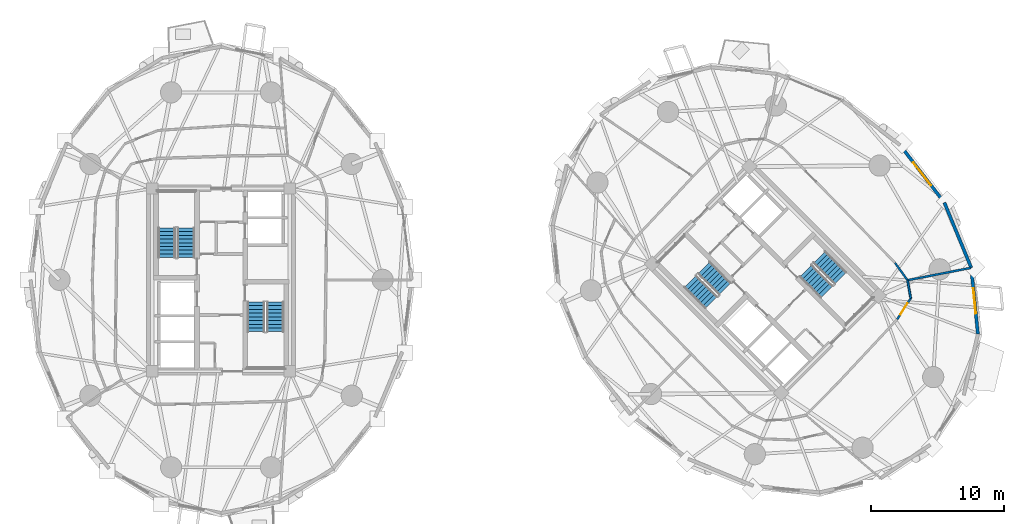
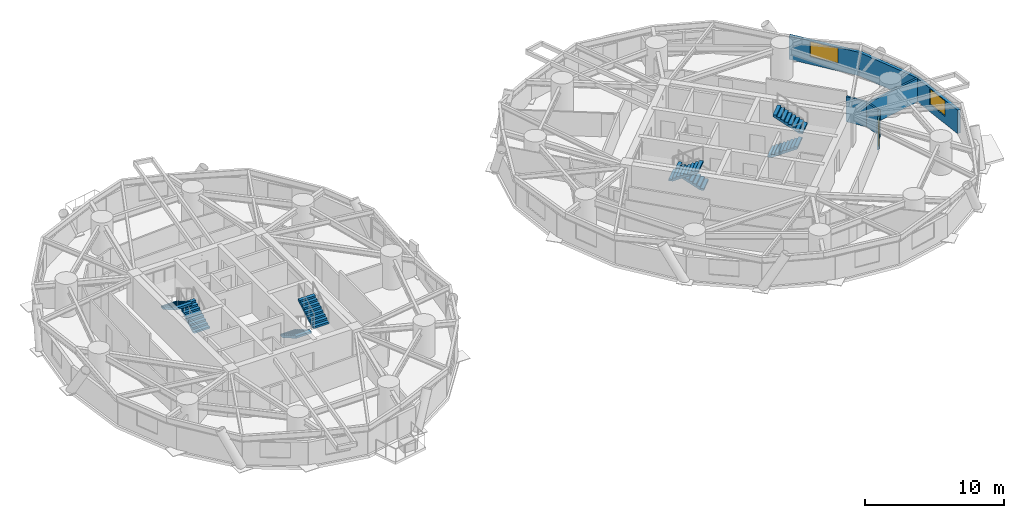
# One storey, part 15 of 18: 8 stair flights, 7 walls, 2 windows, 1 door, 3 openings, 4 elements without a shape of their own.
"""IFC4 building model written with IfcOpenShell, lengths in metres."""

from ifc_helpers import new_model, si_unit, direction, frame, frame_2d, origin, place, context, subcontext, project, spatial, polyline, rectangle, outline, extrude, source, transform, mapped, material, layer, layer_set, type_object, element, fill, aggregate, save


model = new_model("IFC4")

# Units and contexts
model_context = context("Model", 3, precision=1e-05, world=origin(), true_north=direction((0.0, 1.0)))
body_context = subcontext(model_context, "Body", "Model", "MODEL_VIEW")
ifc_project = project(units=[si_unit("LENGTHUNIT", "METRE"), si_unit("AREAUNIT", "SQUARE_METRE"), si_unit("VOLUMEUNIT", "CUBIC_METRE"), si_unit("PLANEANGLEUNIT", "RADIAN"), si_unit("MASSUNIT", "GRAM", prefix="KILO")], contexts=[model_context])

# Site, building, storey
site_placement = place(None, origin())
site = spatial("IfcSite", under=ifc_project, at=site_placement, CompositionType="ELEMENT")
building_placement = place(site_placement, origin())
building = spatial("IfcBuilding", under=site, at=building_placement, Name="Cununo Teusaquillo Station Towers", CompositionType="ELEMENT")
storey_placement = place(building_placement, frame((0.0, 0.0, 22.0)))
storey = spatial("IfcBuildingStorey", under=building, at=storey_placement, Name="L05", CompositionType="ELEMENT", Elevation=22.0)

# Wall, opening, window
ifc_material_1 = material(Name="Precast concrete C40/50", Category="concrete")
ifc_layer_1 = layer(ifc_material_1, 0.239990234375)
ifc_layer_set_1 = layer_set([ifc_layer_1], Name="Precast concrete C40/50")
wall_type_1 = type_object("IfcWallType", Name="WL-EXT-240", PredefinedType="SOLIDWALL", material=ifc_layer_set_1)
wall_1_placement = place(storey_placement, frame((73.01220703125, 25.406982421875, 0.0), z_axis=(0.0, 0.0, 1.0), x_axis=(0.100356187272, -0.994951574538, 0.0)))
wall_1 = element("IfcWall", 1, at=wall_1_placement, inside=storey, type_object=wall_type_1, Name="L05 Tower B Exterior Facade Wall C17", PredefinedType="SOLIDWALL", context=body_context, shape_type="SweptSolid", body=[
    extrude(rectangle(XDim=5.018798828125, YDim=0.239990234375, at=frame_2d((2.50927734375, 0.0))), origin(), (0.0, 0.0, 1.0), 2.072998046875),
])
shared_shape_1 = source(origin(), body_context, "Body", "SweptSolid", [
    extrude(rectangle(XDim=1.89990234375, YDim=1.35009765625, at=frame_2d((0.949951171875, 0.675048828125))), frame((0.0, 0.1298828125, 0.0), z_axis=(0.0, -1.0, 0.0), x_axis=(1.0, 0.0, 0.0)), (0.0, 0.0, 1.0), 0.260009765625),
])
opening_1_placement = place(wall_1_placement, frame((1.55908203125, 0.0, 0.64990234375)))
opening_1 = element("IfcOpeningElement", 2, at=opening_1_placement, cuts=wall_1, Name="Opening WN-02", PredefinedType="OPENING", context=body_context, shape_type="MappedRepresentation", body=[
    mapped(shared_shape_1, transform((0.0, 0.0, 0.0), x_axis=(1.0, 0.0, 0.0), y_axis=(0.0, 1.0, 0.0), z_axis=(0.0, 0.0, 1.0), scale=1.0)),
])
ifc_material_2 = material(Name="Operable acoustic tinted low-E double glazing", Category="glass")
window_type_1 = type_object("IfcWindowType", Name="WIN-OPER-1900", PartitioningType="DOUBLE_PANEL_VERTICAL", PredefinedType="WINDOW", material=ifc_material_2)
shared_shape_2 = source(origin(), body_context, "Body", "SweptSolid", [
    extrude(rectangle(XDim=1.89990234375, YDim=1.35009765625, at=frame_2d((0.949951171875, 0.675048828125))), frame((0.0, 0.030029296875, 0.0), z_axis=(0.0, -1.0, 0.0), x_axis=(1.0, 0.0, 0.0)), (0.0, 0.0, 1.0), 0.06005859375),
])
window_1_placement = place(opening_1_placement, origin())
window_1 = element("IfcWindow", 3, at=window_1_placement, inside=storey, type_object=window_type_1, Name="L05 Tower B Facade Window C17", OverallHeight=1.35009765625, OverallWidth=1.89990234375, PartitioningType="DOUBLE_PANEL_VERTICAL", PredefinedType="WINDOW", context=body_context, shape_type="MappedRepresentation", body=[
    mapped(shared_shape_2, transform((0.0, 0.0, 0.0), x_axis=(1.0, 0.0, 0.0), y_axis=(0.0, 1.0, 0.0), z_axis=(0.0, 0.0, 1.0), scale=1.0)),
])
fill(opening_1, window_1)

# Wall
wall_2_placement = place(storey_placement, frame((70.990234375, 30.31201171875, 0.0), z_axis=(0.0, 0.0, 1.0), x_axis=(0.381113147118, -0.924528403616, 0.0)))
element("IfcWall", 4, at=wall_2_placement, inside=storey, type_object=wall_type_1, Name="L05 Tower B Exterior Facade Wall C18", PredefinedType="SOLIDWALL", context=body_context, shape_type="SweptSolid", body=[
    extrude(rectangle(XDim=5.305419921875, YDim=0.239990234375, at=frame_2d((2.65283203125, 0.0))), origin(), (0.0, 0.0, 1.0), 2.072998046875),
])

# Wall, opening, window
wall_3_placement = place(storey_placement, frame((67.647705078125, 34.647705078125, 0.0), z_axis=(0.0, 0.0, 1.0), x_axis=(0.610557396243, -0.791972010801, 0.0)))
wall_3 = element("IfcWall", 5, at=wall_3_placement, inside=storey, type_object=wall_type_1, Name="L05 Tower B Exterior Facade Wall C19", PredefinedType="SOLIDWALL", context=body_context, shape_type="SweptSolid", body=[
    extrude(rectangle(XDim=5.474609375, YDim=0.239990234375, at=frame_2d((2.7373046875, 0.0))), origin(), (0.0, 0.0, 1.0), 2.072998046875),
])
shared_shape_3 = source(origin(), body_context, "Body", "SweptSolid", [
    extrude(rectangle(XDim=2.199951171875, YDim=1.35009765625, at=frame_2d((1.10009765625, 0.675048828125))), frame((0.0, 0.1298828125, 0.0), z_axis=(0.0, -1.0, 0.0), x_axis=(1.0, 0.0, 0.0)), (0.0, 0.0, 1.0), 0.260009765625),
])
opening_2_placement = place(wall_3_placement, frame((1.636962890625, 0.0, 0.64990234375)))
opening_2 = element("IfcOpeningElement", 6, at=opening_2_placement, cuts=wall_3, Name="Opening WN-01", PredefinedType="OPENING", context=body_context, shape_type="MappedRepresentation", body=[
    mapped(shared_shape_3, transform((0.0, 0.0, 0.0), x_axis=(1.0, 0.0, 0.0), y_axis=(0.0, 1.0, 0.0), z_axis=(0.0, 0.0, 1.0), scale=1.0)),
])
ifc_material_3 = material(Name="Ceramic-fritted dark low-E double glazing", Category="glass")
window_type_2 = type_object("IfcWindowType", Name="WIN-FRIT-2200", PartitioningType="DOUBLE_PANEL_VERTICAL", PredefinedType="WINDOW", material=ifc_material_3)
shared_shape_4 = source(origin(), body_context, "Body", "SweptSolid", [
    extrude(rectangle(XDim=2.199951171875, YDim=1.35009765625, at=frame_2d((1.10009765625, 0.675048828125))), frame((0.0, 0.030029296875, 0.0), z_axis=(0.0, -1.0, 0.0), x_axis=(1.0, 0.0, 0.0)), (0.0, 0.0, 1.0), 0.06005859375),
])
window_2_placement = place(opening_2_placement, origin())
window_2 = element("IfcWindow", 7, at=window_2_placement, inside=storey, type_object=window_type_2, Name="L05 Tower B Facade Window C19", OverallHeight=1.35009765625, OverallWidth=2.199951171875, PartitioningType="DOUBLE_PANEL_VERTICAL", PredefinedType="WINDOW", context=body_context, shape_type="MappedRepresentation", body=[
    mapped(shared_shape_4, transform((0.0, 0.0, 0.0), x_axis=(1.0, 0.0, 0.0), y_axis=(0.0, 1.0, 0.0), z_axis=(0.0, 0.0, 1.0), scale=1.0)),
])
fill(opening_2, window_2)

# Wall, opening, door
ifc_material_4 = material(Name="Fire-rated gypsum plasterboard partition assembly", Category="gypsum")
ifc_layer_2 = layer(ifc_material_4, 0.14990234375)
ifc_layer_set_2 = layer_set([ifc_layer_2], Name="Fire-rated gypsum plasterboard partition assembly")
wall_type_2 = type_object("IfcWallType", Name="WL-PART-150", PredefinedType="PARTITIONING", material=ifc_layer_set_2)
wall_4_placement = place(storey_placement, frame((67.4345703125, 21.521484375, 0.0), z_axis=(0.0, 0.0, 1.0), x_axis=(0.540777197838, 0.841165870859, 0.0)))
wall_4 = element("IfcWall", 8, at=wall_4_placement, inside=storey, type_object=wall_type_2, Name="L05 Tower B Corridor Ring Wall C16", PredefinedType="PARTITIONING", context=body_context, shape_type="SweptSolid", body=[
    extrude(rectangle(XDim=1.887939453125, YDim=0.14990234375, at=frame_2d((0.94384765625, 0.0))), origin(), (0.0, 0.0, 1.0), 2.205078125),
])
shared_shape_5 = source(origin(), body_context, "Body", "SweptSolid", [
    extrude(rectangle(XDim=1.0, YDim=2.014892578125, at=frame_2d((0.5, 1.00732421875))), frame((0.0, 0.0849609375, 0.0), z_axis=(0.0, -1.0, 0.0), x_axis=(1.0, 0.0, 0.0)), (0.0, 0.0, 1.0), 0.169921875),
])
opening_3_placement = place(wall_4_placement, frame((0.44384765625, 0.0, 0.0)))
opening_3 = element("IfcOpeningElement", 9, at=opening_3_placement, cuts=wall_4, Name="Opening D-AC1", PredefinedType="OPENING", context=body_context, shape_type="MappedRepresentation", body=[
    mapped(shared_shape_5, transform((0.0, 0.0, 0.0), x_axis=(1.0, 0.0, 0.0), y_axis=(0.0, 1.0, 0.0), z_axis=(0.0, 0.0, 1.0), scale=1.0)),
])
ifc_material_5 = material(Name="Acoustic solid-core hardwood leaf assembly", Category="wood")
door_type = type_object("IfcDoorType", Name="DR-ACC-1000", OperationType="NOTDEFINED", PredefinedType="DOOR", material=ifc_material_5)
shared_shape_6 = source(origin(), body_context, "Body", "SweptSolid", [
    extrude(rectangle(XDim=1.0, YDim=2.014892578125, at=frame_2d((0.5, 1.00732421875))), frame((0.0, 0.02490234375, 0.0), z_axis=(0.0, -1.0, 0.0), x_axis=(1.0, 0.0, 0.0)), (0.0, 0.0, 1.0), 0.050048828125),
])
door_placement = place(opening_3_placement, origin())
door = element("IfcDoor", 10, at=door_placement, inside=storey, type_object=door_type, Name="L05 Tower B Public Accessible Restroom WC Entrance Door", OperationType="SINGLE_SWING_RIGHT", OverallHeight=2.014892578125, OverallWidth=1.0, PredefinedType="DOOR", context=body_context, shape_type="MappedRepresentation", body=[
    mapped(shared_shape_6, transform((0.0, 0.0, 0.0), x_axis=(1.0, 0.0, 0.0), y_axis=(0.0, 1.0, 0.0), z_axis=(0.0, 0.0, 1.0), scale=1.0)),
])
fill(opening_3, door)

# Walls
wall_5_placement = place(storey_placement, frame((68.45556640625, 23.109619140625, 0.0), z_axis=(0.0, 0.0, 1.0), x_axis=(-0.1772522795, 0.984165448191, 0.0)))
element("IfcWall", 11, at=wall_5_placement, inside=storey, type_object=wall_type_2, Name="L05 Tower B Corridor Ring Wall C17", PredefinedType="PARTITIONING", context=body_context, shape_type="SweptSolid", body=[
    extrude(rectangle(XDim=1.381591796875, YDim=0.14990234375, at=frame_2d((0.69091796875, 0.0))), origin(), (0.0, 0.0, 1.0), 2.158935546875),
])
wall_6_placement = place(storey_placement, frame((68.210693359375, 24.46923828125, 0.0), z_axis=(0.0, 0.0, 1.0), x_axis=(-0.583012141368, 0.812463441034, 0.0)))
element("IfcWall", 12, at=wall_6_placement, inside=storey, type_object=wall_type_2, Name="L05 Tower B Corridor Ring Wall C18", PredefinedType="PARTITIONING", context=body_context, shape_type="SweptSolid", body=[
    extrude(rectangle(XDim=1.613037109375, YDim=0.14990234375, at=frame_2d((0.806640625, 0.0))), origin(), (0.0, 0.0, 1.0), 2.205078125),
])
ifc_material_6 = material(Name="Fire-rated gypsum plasterboard partition assembly", Category="gypsum")
ifc_layer_3 = layer(ifc_material_6, 0.159912109375)
ifc_layer_set_3 = layer_set([ifc_layer_3], Name="Fire-rated gypsum plasterboard partition assembly")
wall_type_3 = type_object("IfcWallType", Name="WL-PART-160", PredefinedType="PARTITIONING", material=ifc_layer_set_3)
wall_7_placement = place(storey_placement, frame((68.210693359375, 24.46923828125, 0.0), z_axis=(0.0, 0.0, 1.0), x_axis=(0.981421381452, 0.19186472325, 0.0)))
element("IfcWall", 13, at=wall_7_placement, inside=storey, type_object=wall_type_3, Name="L05 Tower B Radial Suite Partition R05", PredefinedType="PARTITIONING", context=body_context, shape_type="SweptSolid", body=[
    extrude(rectangle(XDim=4.872314453125, YDim=0.159912109375, at=frame_2d((2.43603515625, 0.0))), origin(), (0.0, 0.0, 1.0), 2.072998046875),
])

# Stair, stair flights
ifc_material_7 = material(Name="Concrete C50/60", Category="concrete")
stair_type = type_object("IfcStairType", Name="ST-TWR-1300", PredefinedType="HALF_TURN_STAIR", material=ifc_material_7)
stair_1_placement = place(storey_placement, origin())
stair_1 = element("IfcStair", 14, at=stair_1_placement, inside=storey, type_object=stair_type, Name="L05 Tower A Protected Core Exit Stair 1", PredefinedType="HALF_TURN_STAIR")
ifc_material_8 = material(Name="Concrete C50/60", Category="concrete")
stair_flight_type = type_object("IfcStairFlightType", Name="SFL-TWR-1300", PredefinedType="STRAIGHT", material=ifc_material_8)
stair_flight_1_placement = place(storey_placement, frame((13.8701171875, 26.169921875, 0.0), z_axis=(0.0, 0.0, 1.0), x_axis=(0.0, 1.0, 0.0)))
stair_flight_1 = element("IfcStairFlight", 15, at=stair_flight_1_placement, type_object=stair_flight_type, Name="ST-T1-1 flight 1", NumberOfRisers=9, NumberOfTreads=8, PredefinedType="STRAIGHT", RiserHeight=0.161666667, TreadLength=0.28, context=body_context, shape_type="SweptSolid", body=[
    extrude(outline(polyline([(0.0, 0.0), (0.0, 0.16162109375), (0.280029296875, 0.16162109375), (0.280029296875, 0.3232421875), (0.56005859375, 0.3232421875), (0.56005859375, 0.485107421875), (0.840087890625, 0.485107421875), (0.840087890625, 0.646728515625), (1.1201171875, 0.646728515625), (1.1201171875, 0.808349609375), (1.39990234375, 0.808349609375), (1.39990234375, 0.969970703125), (1.679931640625, 0.969970703125), (1.679931640625, 1.131591796875), (1.9599609375, 1.131591796875), (1.9599609375, 1.293212890625), (2.239990234375, 1.293212890625), (2.239990234375, 1.455078125), (2.239990234375, 1.1201171875), (0.2998046875, 0.0), (0.0, 0.0)])), frame((0.0, 0.64990234375, 0.0), z_axis=(0.0, -1.0, 0.0), x_axis=(1.0, 0.0, 0.0)), (0.0, 0.0, 1.0), 1.300048828125),
])
stair_flight_2_placement = place(storey_placement, frame((12.409912109375, 28.409912109375, 1.455078125), z_axis=(0.0, 0.0, 1.0), x_axis=(0.0, -1.0, 0.0)))
stair_flight_2 = element("IfcStairFlight", 16, at=stair_flight_2_placement, type_object=stair_flight_type, Name="ST-T1-1 flight 2", NumberOfRisers=9, NumberOfTreads=8, PredefinedType="STRAIGHT", RiserHeight=0.161666667, TreadLength=0.28, context=body_context, shape_type="SweptSolid", body=[
    extrude(outline(polyline([(0.0, 0.0), (0.0, 0.16162109375), (0.280029296875, 0.16162109375), (0.280029296875, 0.3232421875), (0.56005859375, 0.3232421875), (0.56005859375, 0.485107421875), (0.840087890625, 0.485107421875), (0.840087890625, 0.646728515625), (1.1201171875, 0.646728515625), (1.1201171875, 0.808349609375), (1.39990234375, 0.808349609375), (1.39990234375, 0.969970703125), (1.679931640625, 0.969970703125), (1.679931640625, 1.131591796875), (1.9599609375, 1.131591796875), (1.9599609375, 1.293212890625), (2.239990234375, 1.293212890625), (2.239990234375, 1.455078125), (2.239990234375, 1.1201171875), (0.2998046875, 0.0), (0.0, 0.0)])), frame((0.0, 0.64990234375, 0.0), z_axis=(0.0, -1.0, 0.0), x_axis=(1.0, 0.0, 0.0)), (0.0, 0.0, 1.0), 1.300048828125),
])
aggregate(stair_1, [stair_flight_1, stair_flight_2])

stair_2_placement = place(storey_placement, origin())
stair_2 = element("IfcStair", 17, at=stair_2_placement, inside=storey, type_object=stair_type, Name="L05 Tower A Protected Core Exit Stair 2", PredefinedType="HALF_TURN_STAIR")
stair_flight_3_placement = place(storey_placement, frame((19.1298828125, 22.830078125, 0.0), z_axis=(0.0, 0.0, 1.0), x_axis=(0.0, -1.0, 0.0)))
stair_flight_3 = element("IfcStairFlight", 18, at=stair_flight_3_placement, type_object=stair_flight_type, Name="ST-T1-2 flight 1", NumberOfRisers=9, NumberOfTreads=8, PredefinedType="STRAIGHT", RiserHeight=0.161666667, TreadLength=0.28, context=body_context, shape_type="SweptSolid", body=[
    extrude(outline(polyline([(0.0, 0.0), (0.0, 0.16162109375), (0.280029296875, 0.16162109375), (0.280029296875, 0.3232421875), (0.56005859375, 0.3232421875), (0.56005859375, 0.485107421875), (0.840087890625, 0.485107421875), (0.840087890625, 0.646728515625), (1.1201171875, 0.646728515625), (1.1201171875, 0.808349609375), (1.39990234375, 0.808349609375), (1.39990234375, 0.969970703125), (1.679931640625, 0.969970703125), (1.679931640625, 1.131591796875), (1.9599609375, 1.131591796875), (1.9599609375, 1.293212890625), (2.239990234375, 1.293212890625), (2.239990234375, 1.455078125), (2.239990234375, 1.1201171875), (0.2998046875, 0.0), (0.0, 0.0)])), frame((0.0, 0.64990234375, 0.0), z_axis=(0.0, -1.0, 0.0), x_axis=(1.0, 0.0, 0.0)), (0.0, 0.0, 1.0), 1.300048828125),
])
stair_flight_4_placement = place(storey_placement, frame((20.590087890625, 20.590087890625, 1.455078125), z_axis=(0.0, 0.0, 1.0), x_axis=(0.0, 1.0, 0.0)))
stair_flight_4 = element("IfcStairFlight", 19, at=stair_flight_4_placement, type_object=stair_flight_type, Name="ST-T1-2 flight 2", NumberOfRisers=9, NumberOfTreads=8, PredefinedType="STRAIGHT", RiserHeight=0.161666667, TreadLength=0.28, context=body_context, shape_type="SweptSolid", body=[
    extrude(outline(polyline([(0.0, 0.0), (0.0, 0.16162109375), (0.280029296875, 0.16162109375), (0.280029296875, 0.3232421875), (0.56005859375, 0.3232421875), (0.56005859375, 0.485107421875), (0.840087890625, 0.485107421875), (0.840087890625, 0.646728515625), (1.1201171875, 0.646728515625), (1.1201171875, 0.808349609375), (1.39990234375, 0.808349609375), (1.39990234375, 0.969970703125), (1.679931640625, 0.969970703125), (1.679931640625, 1.131591796875), (1.9599609375, 1.131591796875), (1.9599609375, 1.293212890625), (2.239990234375, 1.293212890625), (2.239990234375, 1.455078125), (2.239990234375, 1.1201171875), (0.2998046875, 0.0), (0.0, 0.0)])), frame((0.0, 0.64990234375, 0.0), z_axis=(0.0, -1.0, 0.0), x_axis=(1.0, 0.0, 0.0)), (0.0, 0.0, 1.0), 1.300048828125),
])
aggregate(stair_2, [stair_flight_3, stair_flight_4])

stair_3_placement = place(storey_placement, origin())
stair_3 = element("IfcStair", 20, at=stair_3_placement, inside=storey, type_object=stair_type, Name="L05 Tower B Protected Core Exit Stair 1", PredefinedType="HALF_TURN_STAIR")
stair_flight_5_placement = place(storey_placement, frame((54.45947265625, 23.8212890625, 0.0), z_axis=(0.0, 0.0, 1.0), x_axis=(-0.707106781187, 0.707106781187, 0.0)))
stair_flight_5 = element("IfcStairFlight", 21, at=stair_flight_5_placement, type_object=stair_flight_type, Name="ST-T2-1 flight 1", NumberOfRisers=9, NumberOfTreads=8, PredefinedType="STRAIGHT", RiserHeight=0.161666667, TreadLength=0.28, context=body_context, shape_type="SweptSolid", body=[
    extrude(outline(polyline([(0.0, 0.0), (0.0, 0.16162109375), (0.280029296875, 0.16162109375), (0.280029296875, 0.3232421875), (0.56005859375, 0.3232421875), (0.56005859375, 0.485107421875), (0.840087890625, 0.485107421875), (0.840087890625, 0.646728515625), (1.1201171875, 0.646728515625), (1.1201171875, 0.808349609375), (1.39990234375, 0.808349609375), (1.39990234375, 0.969970703125), (1.679931640625, 0.969970703125), (1.679931640625, 1.131591796875), (1.9599609375, 1.131591796875), (1.9599609375, 1.293212890625), (2.239990234375, 1.293212890625), (2.239990234375, 1.455078125), (2.239990234375, 1.1201171875), (0.2998046875, 0.0), (0.0, 0.0)])), frame((0.0, 0.64990234375, 0.0), z_axis=(0.0, -1.0, 0.0), x_axis=(1.0, 0.0, 0.0)), (0.0, 0.0, 1.0), 1.300048828125),
])
stair_flight_6_placement = place(storey_placement, frame((51.84326171875, 24.372802734375, 1.455078125), z_axis=(0.0, 0.0, 1.0), x_axis=(0.707106781187, -0.707106781187, 0.0)))
stair_flight_6 = element("IfcStairFlight", 22, at=stair_flight_6_placement, type_object=stair_flight_type, Name="ST-T2-1 flight 2", NumberOfRisers=9, NumberOfTreads=8, PredefinedType="STRAIGHT", RiserHeight=0.161666667, TreadLength=0.28, context=body_context, shape_type="SweptSolid", body=[
    extrude(outline(polyline([(0.0, 0.0), (0.0, 0.16162109375), (0.280029296875, 0.16162109375), (0.280029296875, 0.3232421875), (0.56005859375, 0.3232421875), (0.56005859375, 0.485107421875), (0.840087890625, 0.485107421875), (0.840087890625, 0.646728515625), (1.1201171875, 0.646728515625), (1.1201171875, 0.808349609375), (1.39990234375, 0.808349609375), (1.39990234375, 0.969970703125), (1.679931640625, 0.969970703125), (1.679931640625, 1.131591796875), (1.9599609375, 1.131591796875), (1.9599609375, 1.293212890625), (2.239990234375, 1.293212890625), (2.239990234375, 1.455078125), (2.239990234375, 1.1201171875), (0.2998046875, 0.0), (0.0, 0.0)])), frame((0.0, 0.64990234375, 0.0), z_axis=(0.0, -1.0, 0.0), x_axis=(1.0, 0.0, 0.0)), (0.0, 0.0, 1.0), 1.300048828125),
])
aggregate(stair_3, [stair_flight_5, stair_flight_6])

stair_4_placement = place(storey_placement, origin())
stair_4 = element("IfcStair", 23, at=stair_4_placement, inside=storey, type_object=stair_type, Name="L05 Tower B Protected Core Exit Stair 2", PredefinedType="HALF_TURN_STAIR")
stair_flight_7_placement = place(storey_placement, frame((60.54052734375, 25.1787109375, 0.0), z_axis=(0.0, 0.0, 1.0), x_axis=(0.707106781187, -0.707106781187, 0.0)))
stair_flight_7 = element("IfcStairFlight", 24, at=stair_flight_7_placement, type_object=stair_flight_type, Name="ST-T2-2 flight 1", NumberOfRisers=9, NumberOfTreads=8, PredefinedType="STRAIGHT", RiserHeight=0.161666667, TreadLength=0.28, context=body_context, shape_type="SweptSolid", body=[
    extrude(outline(polyline([(0.0, 0.0), (0.0, 0.16162109375), (0.280029296875, 0.16162109375), (0.280029296875, 0.3232421875), (0.56005859375, 0.3232421875), (0.56005859375, 0.485107421875), (0.840087890625, 0.485107421875), (0.840087890625, 0.646728515625), (1.1201171875, 0.646728515625), (1.1201171875, 0.808349609375), (1.39990234375, 0.808349609375), (1.39990234375, 0.969970703125), (1.679931640625, 0.969970703125), (1.679931640625, 1.131591796875), (1.9599609375, 1.131591796875), (1.9599609375, 1.293212890625), (2.239990234375, 1.293212890625), (2.239990234375, 1.455078125), (2.239990234375, 1.1201171875), (0.2998046875, 0.0), (0.0, 0.0)])), frame((0.0, 0.64990234375, 0.0), z_axis=(0.0, -1.0, 0.0), x_axis=(1.0, 0.0, 0.0)), (0.0, 0.0, 1.0), 1.300048828125),
])
stair_flight_8_placement = place(storey_placement, frame((63.15673828125, 24.627197265625, 1.455078125), z_axis=(0.0, 0.0, 1.0), x_axis=(-0.707106781187, 0.707106781187, 0.0)))
stair_flight_8 = element("IfcStairFlight", 25, at=stair_flight_8_placement, type_object=stair_flight_type, Name="ST-T2-2 flight 2", NumberOfRisers=9, NumberOfTreads=8, PredefinedType="STRAIGHT", RiserHeight=0.161666667, TreadLength=0.28, context=body_context, shape_type="SweptSolid", body=[
    extrude(outline(polyline([(0.0, 0.0), (0.0, 0.16162109375), (0.280029296875, 0.16162109375), (0.280029296875, 0.3232421875), (0.56005859375, 0.3232421875), (0.56005859375, 0.485107421875), (0.840087890625, 0.485107421875), (0.840087890625, 0.646728515625), (1.1201171875, 0.646728515625), (1.1201171875, 0.808349609375), (1.39990234375, 0.808349609375), (1.39990234375, 0.969970703125), (1.679931640625, 0.969970703125), (1.679931640625, 1.131591796875), (1.9599609375, 1.131591796875), (1.9599609375, 1.293212890625), (2.239990234375, 1.293212890625), (2.239990234375, 1.455078125), (2.239990234375, 1.1201171875), (0.2998046875, 0.0), (0.0, 0.0)])), frame((0.0, 0.64990234375, 0.0), z_axis=(0.0, -1.0, 0.0), x_axis=(1.0, 0.0, 0.0)), (0.0, 0.0, 1.0), 1.300048828125),
])
aggregate(stair_4, [stair_flight_7, stair_flight_8])

save(model, "model.ifc")
